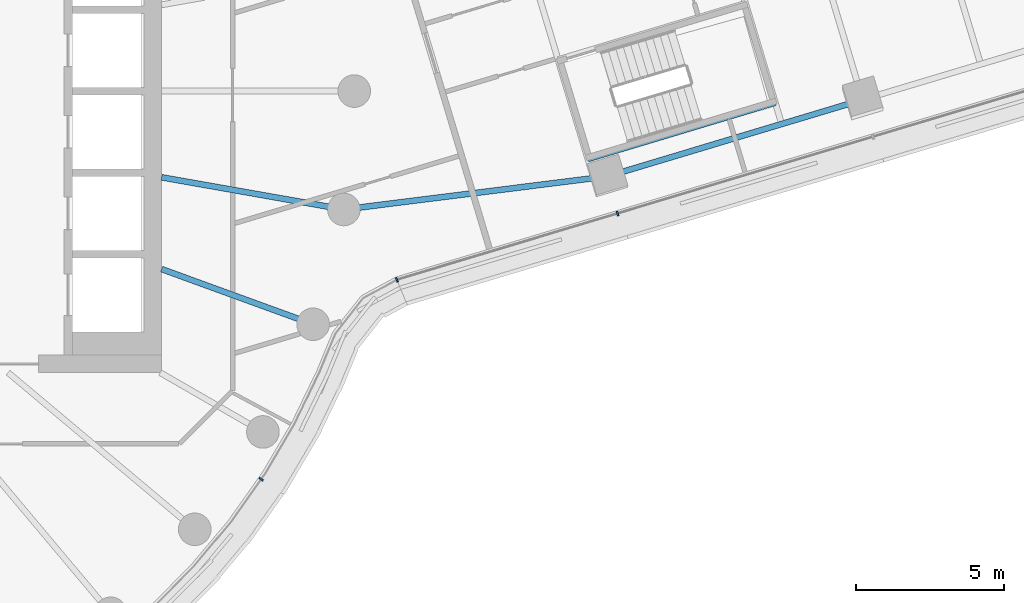
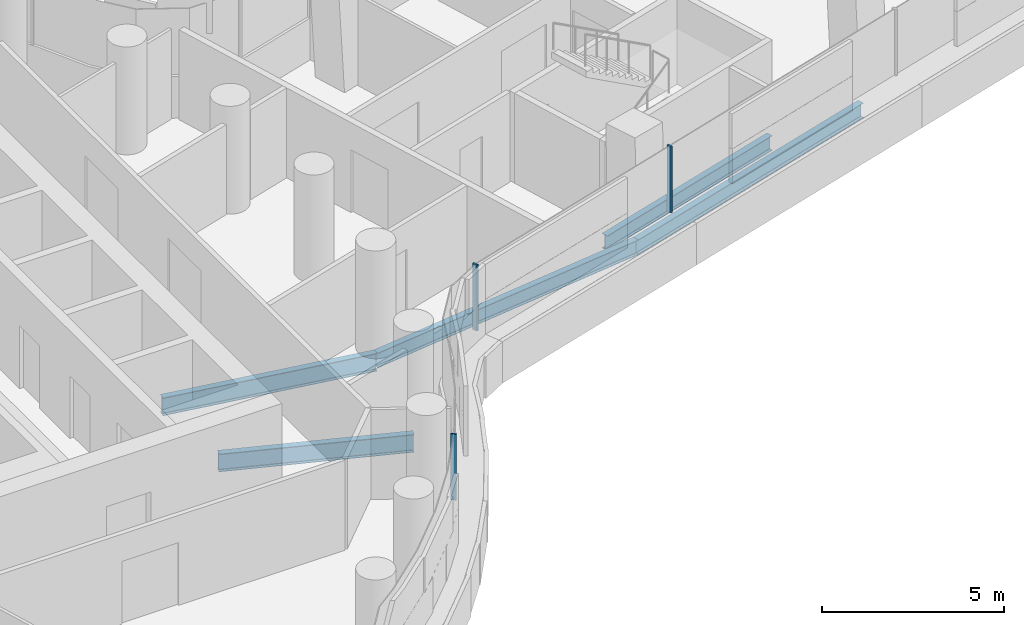
# One storey, part 9 of 32: 5 beams, 3 members, 2 elements without a shape of their own.
"""IFC4 building model written with IfcOpenShell, lengths in metres."""

from ifc_helpers import new_model, si_unit, direction, frame, origin, origin_2d, place, context, subcontext, project, spatial, rectangle, i_section, extrude, material, layer, layer_set, material_profile, profile_set, type_object, element, aggregate, save


model = new_model("IFC4")

# Units and contexts
model_context = context("Model", 3, precision=1e-05, world=origin(), true_north=direction((0.0, 1.0)))
body_context = subcontext(model_context, "Body", "Model", "MODEL_VIEW")
ifc_project = project(units=[si_unit("LENGTHUNIT", "METRE"), si_unit("AREAUNIT", "SQUARE_METRE"), si_unit("VOLUMEUNIT", "CUBIC_METRE"), si_unit("PLANEANGLEUNIT", "RADIAN"), si_unit("MASSUNIT", "GRAM", prefix="KILO")], contexts=[model_context])

# Site, building, storey
site_placement = place(None, origin())
site = spatial("IfcSite", under=ifc_project, at=site_placement, CompositionType="ELEMENT")
building_placement = place(site_placement, origin())
building = spatial("IfcBuilding", under=site, at=building_placement, Name="Tamarind Cross Interchange Tower", CompositionType="ELEMENT")
storey_placement = place(building_placement, frame((0.0, 0.0, 94.75)))
storey = spatial("IfcBuildingStorey", under=building, at=storey_placement, Name="L22", CompositionType="ELEMENT", Elevation=94.75)

# Beams
ifc_material_1 = material(Name="Steel Q355B", Category="steel")
ifc_material_profile_1 = material_profile(ifc_material_1, i_section(OverallWidth=0.198974609375, OverallDepth=0.49609375, WebThickness=0.009033203125, FlangeThickness=0.013916015625, FilletRadius=0.012939453125, at=origin_2d()), Name="HN 496x199x9x14")
ifc_profile_set_1 = profile_set([ifc_material_profile_1], Name="Steel Q355B")
beam_type_1 = type_object("IfcBeamType", Name="Composite beam HN 496x199x9x14 Q355B", PredefinedType="BEAM", material=ifc_profile_set_1)
beam_1_placement = place(storey_placement, frame((40.15087890625, -0.291259765625, -0.387939453125), z_axis=(-0.957735151127, -0.287651491037, 0.0), x_axis=(0.287651491037, -0.957735151127, 0.0)))
element("IfcBeam", 1, at=beam_1_placement, inside=storey, type_object=beam_type_1, Name="Beam E-edgeem6", PredefinedType="BEAM", context=body_context, shape_type="SweptSolid", body=[
    extrude(i_section(OverallWidth=0.198974609375, OverallDepth=0.49609375, WebThickness=0.009033203125, FlangeThickness=0.013916015625, FilletRadius=0.012939453125, at=origin_2d()), origin(), (0.0, 0.0, 1.0), 9.0),
])
beam_2_placement = place(storey_placement, frame((31.53125, -2.880126953125, -0.387939453125), z_axis=(-0.992227015039, -0.124440952374, 0.0), x_axis=(0.124440952374, -0.992227015039, 0.0)))
element("IfcBeam", 2, at=beam_2_placement, inside=storey, type_object=beam_type_1, Name="Beam E-linkem", PredefinedType="BEAM", context=body_context, shape_type="SweptSolid", body=[
    extrude(i_section(OverallWidth=0.198974609375, OverallDepth=0.49609375, WebThickness=0.009033203125, FlangeThickness=0.013916015625, FilletRadius=0.012939453125, at=origin_2d()), origin(), (0.0, 0.0, 1.0), 8.9501953125),
])
beam_3_placement = place(storey_placement, frame((30.884521484375, -2.291259765625, -0.387939453125), z_axis=(0.957737664595, 0.287643122316, 0.0), x_axis=(-0.287643122316, 0.957737664595, 0.0)))
element("IfcBeam", 3, at=beam_3_placement, inside=storey, type_object=beam_type_1, Name="Beam E-tr0", PredefinedType="BEAM", context=body_context, shape_type="SweptSolid", body=[
    extrude(i_section(OverallWidth=0.198974609375, OverallDepth=0.49609375, WebThickness=0.009033203125, FlangeThickness=0.013916015625, FilletRadius=0.012939453125, at=origin_2d()), origin(), (0.0, 0.0, 1.0), 6.599853515625),
])
ifc_material_profile_2 = material_profile(ifc_material_1, i_section(OverallWidth=0.198974609375, OverallDepth=0.595947265625, WebThickness=0.010009765625, FlangeThickness=0.014892578125, FilletRadius=0.012939453125, at=origin_2d()), Name="HN 596x199x10x15")
ifc_profile_set_2 = profile_set([ifc_material_profile_2], Name="Steel Q355B")
beam_type_2 = type_object("IfcBeamType", Name="Composite beam HN 596x199x10x15 Q355B", PredefinedType="BEAM", material=ifc_profile_set_2)
beam_4_placement = place(storey_placement, frame((21.613037109375, -7.866455078125, -0.43798828125), z_axis=(-0.939701685589, 0.341995236956, 0.0), x_axis=(-0.341995236956, -0.939701685589, 0.0)))
element("IfcBeam", 4, at=beam_4_placement, inside=storey, type_object=beam_type_2, Name="Beam HH34", PredefinedType="BEAM", context=body_context, shape_type="SweptSolid", body=[
    extrude(i_section(OverallWidth=0.198974609375, OverallDepth=0.595947265625, WebThickness=0.010009765625, FlangeThickness=0.014892578125, FilletRadius=0.012939453125, at=origin_2d()), origin(), (0.0, 0.0, 1.0), 5.441162109375),
])
beam_5_placement = place(storey_placement, frame((22.650634765625, -3.993896484375, -0.43798828125), z_axis=(-0.984809127561, 0.173640382036, 0.0), x_axis=(-0.173640382036, -0.984809127561, 0.0)))
element("IfcBeam", 5, at=beam_5_placement, inside=storey, type_object=beam_type_2, Name="Beam HH35", PredefinedType="BEAM", context=body_context, shape_type="SweptSolid", body=[
    extrude(i_section(OverallWidth=0.198974609375, OverallDepth=0.595947265625, WebThickness=0.010009765625, FlangeThickness=0.014892578125, FilletRadius=0.012939453125, at=origin_2d()), origin(), (0.0, 0.0, 1.0), 6.24560546875),
])

# Curtain wall, member
ifc_material_2 = material(Name="Aluminium 6063-T6", Category="aluminium")
ifc_layer = layer(ifc_material_2, 0.159912109375)
ifc_layer_set = layer_set([ifc_layer], Name="Aluminium 6063-T6")
curtain_wall_type = type_object("IfcCurtainWallType", Name="Office curtain wall, 9.0 m bays", PredefinedType="NOTDEFINED", material=ifc_layer_set)
curtain_wall_1_placement = place(storey_placement, origin())
curtain_wall_1 = element("IfcCurtainWall", 6, at=curtain_wall_1_placement, inside=storey, type_object=curtain_wall_type, Name="CWS-L22-10", PredefinedType="NOTDEFINED")
ifc_material_profile_3 = material_profile(ifc_material_2, rectangle(XDim=0.06005859375, YDim=0.159912109375, at=origin_2d()), Name="Mullion CW1")
ifc_profile_set_3 = profile_set([ifc_material_profile_3], Name="Aluminium 6063-T6")
member_type = type_object("IfcMemberType", Name="Mullion CW1", PredefinedType="MULLION", material=ifc_profile_set_3)
member_1_placement = place(storey_placement, frame((19.858154296875, -13.09716796875, 1.39990234375), z_axis=(0.0, 0.0, 1.0), x_axis=(0.577568978284, 0.816341886298, 0.0)))
member_1 = element("IfcMember", 7, at=member_1_placement, type_object=member_type, Name="CWM-L22-10-02", PredefinedType="MULLION", context=body_context, shape_type="SweptSolid", body=[
    extrude(rectangle(XDim=0.06005859375, YDim=0.159912109375, at=origin_2d()), origin(), (0.0, 0.0, 1.0), 2.210205078125),
])
aggregate(curtain_wall_1, [member_1])

# Curtain wall, members
curtain_wall_2_placement = place(storey_placement, origin())
curtain_wall_2 = element("IfcCurtainWall", 8, at=curtain_wall_2_placement, inside=storey, type_object=curtain_wall_type, Name="CWS-L22-11", PredefinedType="NOTDEFINED")
member_2_placement = place(storey_placement, frame((24.43798828125, -6.367919921875, 1.39990234375), z_axis=(0.0, 0.0, 1.0), x_axis=(0.923080250788, 0.384607398011, 0.0)))
member_2 = element("IfcMember", 9, at=member_2_placement, type_object=member_type, Name="CWM-L22-11-00", PredefinedType="MULLION", context=body_context, shape_type="SweptSolid", body=[
    extrude(rectangle(XDim=0.06005859375, YDim=0.159912109375, at=origin_2d()), origin(), (0.0, 0.0, 1.0), 2.210205078125),
])
member_3_placement = place(storey_placement, frame((31.883544921875, -4.131591796875, 1.39990234375), z_axis=(0.0, 0.0, 1.0), x_axis=(0.957738195167, 0.287641355717, 0.0)))
member_3 = element("IfcMember", 10, at=member_3_placement, type_object=member_type, Name="CWM-L22-11-01", PredefinedType="MULLION", context=body_context, shape_type="SweptSolid", body=[
    extrude(rectangle(XDim=0.06005859375, YDim=0.159912109375, at=origin_2d()), origin(), (0.0, 0.0, 1.0), 2.210205078125),
])
aggregate(curtain_wall_2, [member_2, member_3])

save(model, "model.ifc")
